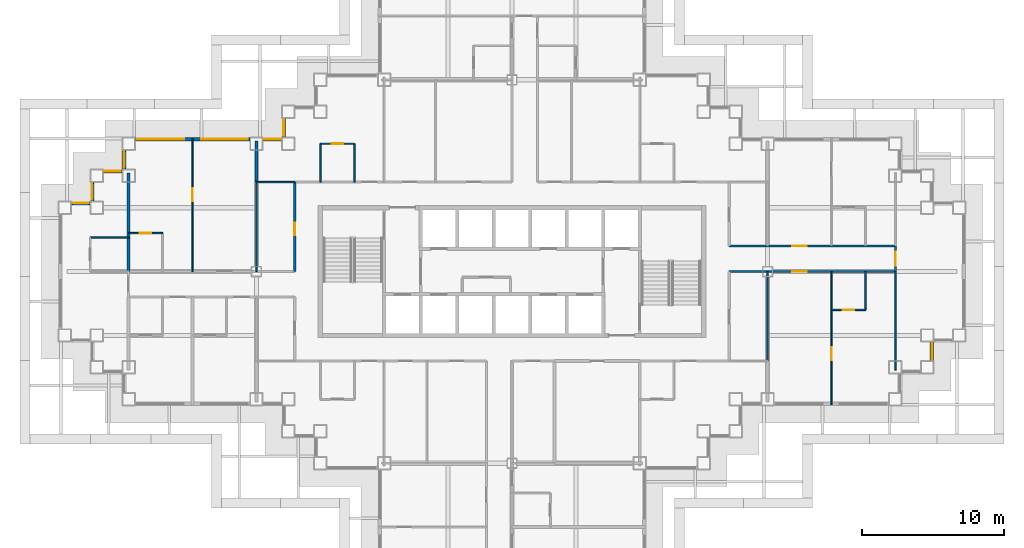
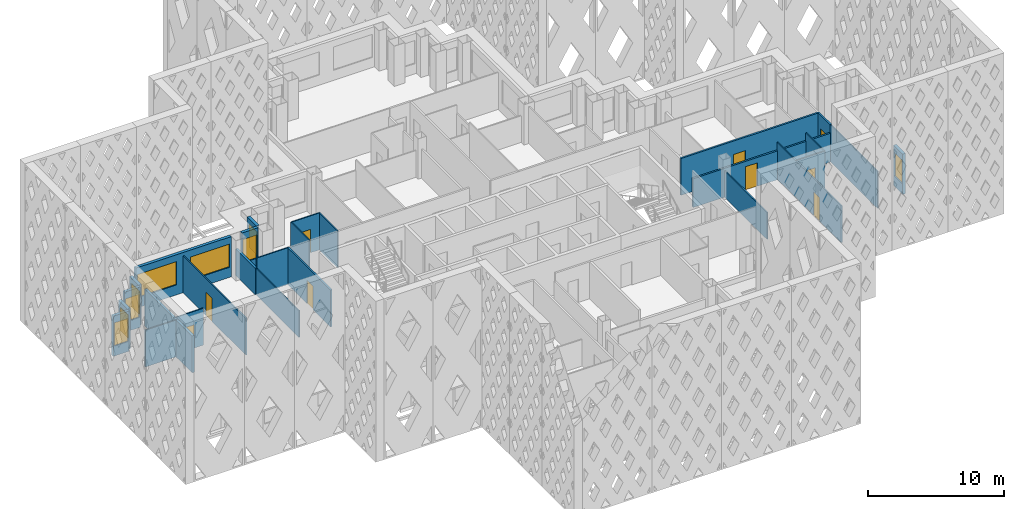
# One storey, part 6 of 21: 27 walls, 9 doors, 9 windows, 18 openings.
"""IFC4 building model written with IfcOpenShell, lengths in metres."""

from ifc_helpers import new_model, si_unit, direction, frame, frame_2d, origin, place, context, subcontext, project, spatial, rectangle, extrude, material, layer, layer_set, type_object, element, fill, save


model = new_model("IFC4")

# Units and contexts
model_context = context("Model", 3, precision=1e-05, world=origin(), true_north=direction((0.0, 1.0)))
body_context = subcontext(model_context, "Body", "Model", "MODEL_VIEW")
ifc_project = project(units=[si_unit("LENGTHUNIT", "METRE"), si_unit("AREAUNIT", "SQUARE_METRE"), si_unit("VOLUMEUNIT", "CUBIC_METRE"), si_unit("PLANEANGLEUNIT", "RADIAN"), si_unit("MASSUNIT", "GRAM", prefix="KILO")], contexts=[model_context])

# Site, building, storey
site_placement = place(None, origin())
site = spatial("IfcSite", under=ifc_project, at=site_placement, CompositionType="ELEMENT")
building_placement = place(site_placement, origin())
building = spatial("IfcBuilding", under=site, at=building_placement, Name="Caravel Reach Hotel and Residences", CompositionType="ELEMENT")
storey_placement = place(building_placement, frame((0.0, 0.0, 100.800048828125)))
storey = spatial("IfcBuildingStorey", under=building, at=storey_placement, Name="L24", CompositionType="ELEMENT", Elevation=100.800048828125)

# Wall, opening, door
ifc_material_1 = material(Name="Gypsum board on steel stud", Category="steel")
ifc_layer_1 = layer(ifc_material_1, 0.10009765625)
ifc_layer_set_1 = layer_set([ifc_layer_1], Name="Bathroom pod wall 100 mm")
wall_type_1 = type_object("IfcWallType", Name="Bathroom pod wall 100 mm", PredefinedType="PARTITIONING", material=ifc_layer_set_1)
wall_1_placement = place(storey_placement, frame((54.0, 24.300048828125, 0.0), z_axis=(0.0, 0.0, 1.0), x_axis=(1.0, 0.0, 0.0)))
wall_1 = element("IfcWall", 1, at=wall_1_placement, inside=storey, type_object=wall_type_1, Name="L24 wall w087", PredefinedType="PARTITIONING", context=body_context, shape_type="SweptSolid", body=[
    extrude(rectangle(XDim=2.39990234375, YDim=0.10009765625, at=frame_2d((1.199951171875, 0.0))), origin(), (0.0, 0.0, 1.0), 3.300048828125),
])
opening_1_placement = place(wall_1_placement, frame((0.800048828125, 0.0, 0.0)))
opening_1 = element("IfcOpeningElement", 2, at=opening_1_placement, cuts=wall_1, Name="Opening D24-024", PredefinedType="OPENING", context=body_context, shape_type="SweptSolid", body=[
    extrude(rectangle(XDim=0.800048828125, YDim=2.10009765625, at=frame_2d((0.39990234375, 1.050048828125))), frame((0.0, 0.06005859375, 0.0), z_axis=(0.0, -1.0, 0.0), x_axis=(1.0, 0.0, 0.0)), (0.0, 0.0, 1.0), 0.1201171875),
])
ifc_material_2 = material(Name="Timber and steel door leaf", Category="steel")
door_type_1 = type_object("IfcDoorType", Name="Bathroom door 800 x 2100", OperationType="SINGLE_SWING_LEFT", PredefinedType="DOOR", material=ifc_material_2)
door_1_placement = place(opening_1_placement, origin())
door_1 = element("IfcDoor", 3, at=door_1_placement, inside=storey, type_object=door_type_1, Name="door D24-024", OperationType="SINGLE_SWING_RIGHT", OverallHeight=2.10009765625, OverallWidth=0.800048828125, PredefinedType="DOOR", context=body_context, shape_type="SweptSolid", body=[
    extrude(rectangle(XDim=0.800048828125, YDim=2.10009765625, at=frame_2d((0.39990234375, 1.050048828125))), frame((0.0, 0.02490234375, 0.0), z_axis=(0.0, -1.0, 0.0), x_axis=(1.0, 0.0, 0.0)), (0.0, 0.0, 1.0), 0.050048828125),
])
fill(opening_1, door_1)

# Wall
wall_2_placement = place(storey_placement, frame((1.800048828125, 29.39990234375, 0.0), z_axis=(0.0, 0.0, 1.0), x_axis=(1.0, 0.0, 0.0)))
element("IfcWall", 4, at=wall_2_placement, inside=storey, type_object=wall_type_1, Name="L24 wall w089", PredefinedType="PARTITIONING", context=body_context, shape_type="SweptSolid", body=[
    extrude(rectangle(XDim=2.699951171875, YDim=0.10009765625, at=frame_2d((1.35009765625, 0.0))), origin(), (0.0, 0.0, 1.0), 3.300048828125),
])

# Wall, opening, door
wall_3_placement = place(storey_placement, frame((4.5, 29.699951171875, 0.0), z_axis=(0.0, 0.0, 1.0), x_axis=(1.0, 0.0, 0.0)))
wall_3 = element("IfcWall", 5, at=wall_3_placement, inside=storey, type_object=wall_type_1, Name="L24 wall w090", PredefinedType="PARTITIONING", context=body_context, shape_type="SweptSolid", body=[
    extrude(rectangle(XDim=2.39990234375, YDim=0.10009765625, at=frame_2d((1.199951171875, 0.0))), origin(), (0.0, 0.0, 1.0), 3.300048828125),
])
opening_2_placement = place(wall_3_placement, frame((0.800048828125, 0.0, 0.0)))
opening_2 = element("IfcOpeningElement", 6, at=opening_2_placement, cuts=wall_3, Name="Opening D24-021", PredefinedType="OPENING", context=body_context, shape_type="SweptSolid", body=[
    extrude(rectangle(XDim=0.800048828125, YDim=2.10009765625, at=frame_2d((0.39990234375, 1.050048828125))), frame((0.0, 0.06005859375, 0.0), z_axis=(0.0, -1.0, 0.0), x_axis=(1.0, 0.0, 0.0)), (0.0, 0.0, 1.0), 0.1201171875),
])
door_2_placement = place(opening_2_placement, origin())
door_2 = element("IfcDoor", 7, at=door_2_placement, inside=storey, type_object=door_type_1, Name="door D24-021", OperationType="SINGLE_SWING_LEFT", OverallHeight=2.10009765625, OverallWidth=0.800048828125, PredefinedType="DOOR", context=body_context, shape_type="SweptSolid", body=[
    extrude(rectangle(XDim=0.800048828125, YDim=2.10009765625, at=frame_2d((0.39990234375, 1.050048828125))), frame((0.0, 0.02490234375, 0.0), z_axis=(0.0, -1.0, 0.0), x_axis=(1.0, 0.0, 0.0)), (0.0, 0.0, 1.0), 0.050048828125),
])
fill(opening_2, door_2)

wall_4_placement = place(storey_placement, frame((18.0, 36.0, 0.0), z_axis=(0.0, 0.0, 1.0), x_axis=(1.0, 0.0, 0.0)))
wall_4 = element("IfcWall", 8, at=wall_4_placement, inside=storey, type_object=wall_type_1, Name="L24 wall w092", PredefinedType="PARTITIONING", context=body_context, shape_type="SweptSolid", body=[
    extrude(rectangle(XDim=2.39990234375, YDim=0.10009765625, at=frame_2d((1.199951171875, 0.0))), origin(), (0.0, 0.0, 1.0), 3.300048828125),
])
opening_3_placement = place(wall_4_placement, frame((0.800048828125, 0.0, 0.0)))
opening_3 = element("IfcOpeningElement", 9, at=opening_3_placement, cuts=wall_4, Name="Opening D24-046", PredefinedType="OPENING", context=body_context, shape_type="SweptSolid", body=[
    extrude(rectangle(XDim=0.800048828125, YDim=2.10009765625, at=frame_2d((0.39990234375, 1.050048828125))), frame((0.0, 0.06005859375, 0.0), z_axis=(0.0, -1.0, 0.0), x_axis=(1.0, 0.0, 0.0)), (0.0, 0.0, 1.0), 0.1201171875),
])
door_3_placement = place(opening_3_placement, origin())
door_3 = element("IfcDoor", 10, at=door_3_placement, inside=storey, type_object=door_type_1, Name="door D24-046", OperationType="SINGLE_SWING_RIGHT", OverallHeight=2.10009765625, OverallWidth=0.800048828125, PredefinedType="DOOR", context=body_context, shape_type="SweptSolid", body=[
    extrude(rectangle(XDim=0.800048828125, YDim=2.10009765625, at=frame_2d((0.39990234375, 1.050048828125))), frame((0.0, 0.02490234375, 0.0), z_axis=(0.0, -1.0, 0.0), x_axis=(1.0, 0.0, 0.0)), (0.0, 0.0, 1.0), 0.050048828125),
])
fill(opening_3, door_3)

# Walls
for number, where, z_axis, x_axis, name in (
    (11, (18.0, 33.300048828125, 0.0), (0.0, 0.0, 1.0), (0.0, 1.0, 0.0), "L24 wall w100"),
    (12, (20.39990234375, 33.300048828125, 0.0), (0.0, 0.0, 1.0), (0.0, 1.0, 0.0), "L24 wall w102"),
    (13, (56.39990234375, 24.300048828125, 0.0), (0.0, 0.0, 1.0), (0.0, 1.0, 0.0), "L24 wall w114"),
):
    element("IfcWall", number, at=place(storey_placement, frame(where, z_axis=z_axis, x_axis=x_axis)), inside=storey, type_object=wall_type_1, Name=name, PredefinedType="PARTITIONING", context=body_context, shape_type="SweptSolid", body=[
        extrude(rectangle(XDim=2.699951171875, YDim=0.10009765625, at=frame_2d((1.35009765625, 0.0))), origin(), (0.0, 0.0, 1.0), 3.300048828125),
    ])

# Wall, opening, door
ifc_material_3 = material(Name="Gypsum board on steel stud, fire-rated", Category="steel")
ifc_layer_2 = layer(ifc_material_3, 0.14990234375)
ifc_layer_set_2 = layer_set([ifc_layer_2], Name="Corridor wall 150 mm EI 60")
wall_type_2 = type_object("IfcWallType", Name="Corridor wall 150 mm EI 60", PredefinedType="PARTITIONING", material=ifc_layer_set_2)
wall_5_placement = place(storey_placement, frame((46.800048828125, 27.0, 0.0), z_axis=(0.0, 0.0, 1.0), x_axis=(1.0, 0.0, 0.0)))
wall_5 = element("IfcWall", 14, at=wall_5_placement, inside=storey, type_object=wall_type_2, Name="L24 wall w009", PredefinedType="PARTITIONING", context=body_context, shape_type="SweptSolid", body=[
    extrude(rectangle(XDim=11.699951171875, YDim=0.14990234375, at=frame_2d((5.85009765625, 0.0))), origin(), (0.0, 0.0, 1.0), 2.579833984375),
])
opening_4_placement = place(wall_5_placement, frame((4.449951171875, 0.0, 0.0)))
opening_4 = element("IfcOpeningElement", 15, at=opening_4_placement, cuts=wall_5, Name="Opening D24-022", PredefinedType="OPENING", context=body_context, shape_type="SweptSolid", body=[
    extrude(rectangle(XDim=1.0, YDim=2.10009765625, at=frame_2d((0.5, 1.050048828125))), frame((0.0, 0.0849609375, 0.0), z_axis=(0.0, -1.0, 0.0), x_axis=(1.0, 0.0, 0.0)), (0.0, 0.0, 1.0), 0.169921875),
])
ifc_material_4 = material(Name="Steel fire door leaf", Category="steel")
door_type_2 = type_object("IfcDoorType", Name="Guest room door 1000 x 2100 EI 30", OperationType="SINGLE_SWING_LEFT", PredefinedType="DOOR", material=ifc_material_4)
door_4_placement = place(opening_4_placement, origin())
door_4 = element("IfcDoor", 16, at=door_4_placement, inside=storey, type_object=door_type_2, Name="door D24-022", OperationType="SINGLE_SWING_RIGHT", OverallHeight=2.10009765625, OverallWidth=1.0, PredefinedType="DOOR", context=body_context, shape_type="SweptSolid", body=[
    extrude(rectangle(XDim=1.0, YDim=2.10009765625, at=frame_2d((0.5, 1.050048828125))), frame((0.0, 0.02490234375, 0.0), z_axis=(0.0, -1.0, 0.0), x_axis=(1.0, 0.0, 0.0)), (0.0, 0.0, 1.0), 0.050048828125),
])
fill(opening_4, door_4)

wall_6_placement = place(storey_placement, frame((46.800048828125, 28.800048828125, 0.0), z_axis=(0.0, 0.0, 1.0), x_axis=(1.0, 0.0, 0.0)))
wall_6 = element("IfcWall", 17, at=wall_6_placement, inside=storey, type_object=wall_type_2, Name="L24 wall w015", PredefinedType="PARTITIONING", context=body_context, shape_type="SweptSolid", body=[
    extrude(rectangle(XDim=11.699951171875, YDim=0.14990234375, at=frame_2d((5.85009765625, 0.0))), origin(), (0.0, 0.0, 1.0), 3.300048828125),
])
opening_5_placement = place(wall_6_placement, frame((4.449951171875, 0.0, 0.0)))
opening_5 = element("IfcOpeningElement", 18, at=opening_5_placement, cuts=wall_6, Name="Opening D24-025", PredefinedType="OPENING", context=body_context, shape_type="SweptSolid", body=[
    extrude(rectangle(XDim=1.0, YDim=2.10009765625, at=frame_2d((0.5, 1.050048828125))), frame((0.0, 0.0849609375, 0.0), z_axis=(0.0, -1.0, 0.0), x_axis=(1.0, 0.0, 0.0)), (0.0, 0.0, 1.0), 0.169921875),
])
door_5_placement = place(opening_5_placement, origin())
door_5 = element("IfcDoor", 19, at=door_5_placement, inside=storey, type_object=door_type_2, Name="door D24-025", OperationType="SINGLE_SWING_LEFT", OverallHeight=2.10009765625, OverallWidth=1.0, PredefinedType="DOOR", context=body_context, shape_type="SweptSolid", body=[
    extrude(rectangle(XDim=1.0, YDim=2.10009765625, at=frame_2d((0.5, 1.050048828125))), frame((0.0, 0.02490234375, 0.0), z_axis=(0.0, -1.0, 0.0), x_axis=(1.0, 0.0, 0.0)), (0.0, 0.0, 1.0), 0.050048828125),
])
fill(opening_5, door_5)

wall_7_placement = place(storey_placement, frame((16.199951171875, 27.0, 0.0), z_axis=(0.0, 0.0, 1.0), x_axis=(0.0, 1.0, 0.0)))
wall_7 = element("IfcWall", 20, at=wall_7_placement, inside=storey, type_object=wall_type_2, Name="L24 wall w026", PredefinedType="PARTITIONING", context=body_context, shape_type="SweptSolid", body=[
    extrude(rectangle(XDim=6.300048828125, YDim=0.14990234375, at=frame_2d((3.14990234375, 0.0))), origin(), (0.0, 0.0, 1.0), 3.300048828125),
])
opening_6_placement = place(wall_7_placement, frame((2.550048828125, 0.0, 0.0)))
opening_6 = element("IfcOpeningElement", 21, at=opening_6_placement, cuts=wall_7, Name="Opening D24-062", PredefinedType="OPENING", context=body_context, shape_type="SweptSolid", body=[
    extrude(rectangle(XDim=0.89990234375, YDim=2.10009765625, at=frame_2d((0.449951171875, 1.050048828125))), frame((0.0, 0.0849609375, 0.0), z_axis=(0.0, -1.0, 0.0), x_axis=(1.0, 0.0, 0.0)), (0.0, 0.0, 1.0), 0.169921875),
])
ifc_material_5 = material(Name="Timber and steel door leaf", Category="steel")
door_type_3 = type_object("IfcDoorType", Name="Door 900 x 2100 timber", OperationType="SINGLE_SWING_LEFT", PredefinedType="DOOR", material=ifc_material_5)
door_6_placement = place(opening_6_placement, origin())
door_6 = element("IfcDoor", 22, at=door_6_placement, inside=storey, type_object=door_type_3, Name="door D24-062", OperationType="SINGLE_SWING_LEFT", OverallHeight=2.10009765625, OverallWidth=0.89990234375, PredefinedType="DOOR", context=body_context, shape_type="SweptSolid", body=[
    extrude(rectangle(XDim=0.89990234375, YDim=2.10009765625, at=frame_2d((0.449951171875, 1.050048828125))), frame((0.0, 0.02490234375, 0.0), z_axis=(0.0, -1.0, 0.0), x_axis=(1.0, 0.0, 0.0)), (0.0, 0.0, 1.0), 0.050048828125),
])
fill(opening_6, door_6)

wall_8_placement = place(storey_placement, frame((58.5, 27.0, 0.0), z_axis=(0.0, 0.0, 1.0), x_axis=(0.0, 1.0, 0.0)))
wall_8 = element("IfcWall", 23, at=wall_8_placement, inside=storey, type_object=wall_type_2, Name="L24 wall w041", PredefinedType="PARTITIONING", context=body_context, shape_type="SweptSolid", body=[
    extrude(rectangle(XDim=1.800048828125, YDim=0.14990234375, at=frame_2d((0.89990234375, 0.0))), origin(), (0.0, 0.0, 1.0), 3.300048828125),
])
opening_7_placement = place(wall_8_placement, frame((0.39990234375, 0.0, 0.0)))
opening_7 = element("IfcOpeningElement", 24, at=opening_7_placement, cuts=wall_8, Name="Opening D24-041", PredefinedType="OPENING", context=body_context, shape_type="SweptSolid", body=[
    extrude(rectangle(XDim=1.0, YDim=2.10009765625, at=frame_2d((0.5, 1.050048828125))), frame((0.0, 0.0849609375, 0.0), z_axis=(0.0, -1.0, 0.0), x_axis=(1.0, 0.0, 0.0)), (0.0, 0.0, 1.0), 0.169921875),
])
door_7_placement = place(opening_7_placement, origin())
door_7 = element("IfcDoor", 25, at=door_7_placement, inside=storey, type_object=door_type_2, Name="door D24-041", OperationType="SINGLE_SWING_LEFT", OverallHeight=2.10009765625, OverallWidth=1.0, PredefinedType="DOOR", context=body_context, shape_type="SweptSolid", body=[
    extrude(rectangle(XDim=1.0, YDim=2.10009765625, at=frame_2d((0.5, 1.050048828125))), frame((0.0, 0.02490234375, 0.0), z_axis=(0.0, -1.0, 0.0), x_axis=(1.0, 0.0, 0.0)), (0.0, 0.0, 1.0), 0.050048828125),
])
fill(opening_7, door_7)

# Wall, opening, window
ifc_material_6 = material(Name="Insulated rainscreen wall, aluminium cladding", Category="aluminium")
ifc_layer_3 = layer(ifc_material_6, 0.25)
ifc_layer_set_3 = layer_set([ifc_layer_3], Name="EW1 Tower rainscreen wall")
wall_type_3 = type_object("IfcWallType", Name="EW1 Tower rainscreen wall", PredefinedType="SOLIDWALL", material=ifc_layer_set_3)
wall_9_placement = place(storey_placement, frame((61.074951171875, 20.699951171875, 0.0), z_axis=(0.0, 0.0, 1.0), x_axis=(0.0, 1.0, 0.0)))
wall_9 = element("IfcWall", 26, at=wall_9_placement, inside=storey, type_object=wall_type_3, Name="External wall L24 E18.1", PredefinedType="SOLIDWALL", context=body_context, shape_type="SweptSolid", body=[
    extrude(rectangle(XDim=1.35009765625, YDim=0.25, at=frame_2d((0.675048828125, 0.0))), origin(), (0.0, 0.0, 1.0), 3.599853515625),
])
opening_8_placement = place(wall_9_placement, frame((0.10009765625, 0.0, 0.89990234375)))
opening_8 = element("IfcOpeningElement", 27, at=opening_8_placement, cuts=wall_9, Name="Opening WN8", PredefinedType="OPENING", context=body_context, shape_type="SweptSolid", body=[
    extrude(rectangle(XDim=1.14990234375, YDim=2.080078125, at=frame_2d((0.574951171875, 1.0400390625))), frame((0.0, 0.135009765625, 0.0), z_axis=(0.0, -1.0, 0.0), x_axis=(1.0, 0.0, 0.0)), (0.0, 0.0, 1.0), 0.27001953125),
])
ifc_material_7 = material(Name="Dark low-e glazing in black aluminium frame", Category="aluminium")
window_type_1 = type_object("IfcWindowType", Name="Hotel suite corner window 1150 x 2080", PartitioningType="SINGLE_PANEL", PredefinedType="WINDOW", material=ifc_material_7)
window_1_placement = place(opening_8_placement, origin())
window_1 = element("IfcWindow", 28, at=window_1_placement, inside=storey, type_object=window_type_1, Name="Window L24 E18.1.1", OverallHeight=2.080078125, OverallWidth=1.14990234375, PartitioningType="SINGLE_PANEL", PredefinedType="WINDOW", context=body_context, shape_type="SweptSolid", body=[
    extrude(rectangle(XDim=1.14990234375, YDim=2.080078125, at=frame_2d((0.574951171875, 1.0400390625))), frame((0.0, 0.030029296875, 0.0), z_axis=(0.0, -1.0, 0.0), x_axis=(1.0, 0.0, 0.0)), (0.0, 0.0, 1.0), 0.06005859375),
])
fill(opening_8, window_1)

wall_10_placement = place(storey_placement, frame((15.425048828125, 37.800048828125, 0.0), z_axis=(0.0, 0.0, 1.0), x_axis=(0.0, -1.0, 0.0)))
wall_10 = element("IfcWall", 29, at=wall_10_placement, inside=storey, type_object=wall_type_3, Name="External wall L24 W44.1", PredefinedType="SOLIDWALL", context=body_context, shape_type="SweptSolid", body=[
    extrude(rectangle(XDim=1.35009765625, YDim=0.25, at=frame_2d((0.675048828125, 0.0))), origin(), (0.0, 0.0, 1.0), 3.599853515625),
])
opening_9_placement = place(wall_10_placement, frame((0.10009765625, 0.0, 0.89990234375)))
opening_9 = element("IfcOpeningElement", 30, at=opening_9_placement, cuts=wall_10, Name="Opening WN8", PredefinedType="OPENING", context=body_context, shape_type="SweptSolid", body=[
    extrude(rectangle(XDim=1.14990234375, YDim=2.080078125, at=frame_2d((0.574951171875, 1.0400390625))), frame((0.0, 0.135009765625, 0.0), z_axis=(0.0, -1.0, 0.0), x_axis=(1.0, 0.0, 0.0)), (0.0, 0.0, 1.0), 0.27001953125),
])
window_2_placement = place(opening_9_placement, origin())
window_2 = element("IfcWindow", 31, at=window_2_placement, inside=storey, type_object=window_type_1, Name="Window L24 W44.1.1", OverallHeight=2.080078125, OverallWidth=1.14990234375, PartitioningType="SINGLE_PANEL", PredefinedType="WINDOW", context=body_context, shape_type="SweptSolid", body=[
    extrude(rectangle(XDim=1.14990234375, YDim=2.080078125, at=frame_2d((0.574951171875, 1.0400390625))), frame((0.0, 0.030029296875, 0.0), z_axis=(0.0, -1.0, 0.0), x_axis=(1.0, 0.0, 0.0)), (0.0, 0.0, 1.0), 0.06005859375),
])
fill(opening_9, window_2)

wall_11_placement = place(storey_placement, frame((15.300048828125, 36.324951171875, 0.0), z_axis=(0.0, 0.0, 1.0), x_axis=(-1.0, 0.0, 0.0)))
wall_11 = element("IfcWall", 32, at=wall_11_placement, inside=storey, type_object=wall_type_3, Name="External wall L24 N45.1", PredefinedType="SOLIDWALL", context=body_context, shape_type="SweptSolid", body=[
    extrude(rectangle(XDim=1.35009765625, YDim=0.25, at=frame_2d((0.675048828125, 0.0))), origin(), (0.0, 0.0, 1.0), 3.599853515625),
])
opening_10_placement = place(wall_11_placement, frame((0.10009765625, 0.0, 0.89990234375)))
opening_10 = element("IfcOpeningElement", 33, at=opening_10_placement, cuts=wall_11, Name="Opening WN8", PredefinedType="OPENING", context=body_context, shape_type="SweptSolid", body=[
    extrude(rectangle(XDim=1.14990234375, YDim=2.080078125, at=frame_2d((0.574951171875, 1.0400390625))), frame((0.0, 0.135009765625, 0.0), z_axis=(0.0, -1.0, 0.0), x_axis=(1.0, 0.0, 0.0)), (0.0, 0.0, 1.0), 0.27001953125),
])
window_3_placement = place(opening_10_placement, origin())
window_3 = element("IfcWindow", 34, at=window_3_placement, inside=storey, type_object=window_type_1, Name="Window L24 N45.1.1", OverallHeight=2.080078125, OverallWidth=1.14990234375, PartitioningType="SINGLE_PANEL", PredefinedType="WINDOW", context=body_context, shape_type="SweptSolid", body=[
    extrude(rectangle(XDim=1.14990234375, YDim=2.080078125, at=frame_2d((0.574951171875, 1.0400390625))), frame((0.0, 0.030029296875, 0.0), z_axis=(0.0, -1.0, 0.0), x_axis=(1.0, 0.0, 0.0)), (0.0, 0.0, 1.0), 0.06005859375),
])
fill(opening_10, window_3)

# Wall, openings, windows
wall_12_placement = place(storey_placement, frame((13.050048828125, 36.324951171875, 0.0), z_axis=(0.0, 0.0, 1.0), x_axis=(-1.0, 0.0, 0.0)))
wall_12 = element("IfcWall", 35, at=wall_12_placement, inside=storey, type_object=wall_type_3, Name="External wall L24 N45.2", PredefinedType="SOLIDWALL", context=body_context, shape_type="SweptSolid", body=[
    extrude(rectangle(XDim=8.10009765625, YDim=0.25, at=frame_2d((4.050048828125, 0.0))), origin(), (0.0, 0.0, 1.0), 3.599853515625),
])
opening_11_placement = place(wall_12_placement, frame((0.14990234375, 0.0, 0.89990234375)))
opening_11 = element("IfcOpeningElement", 36, at=opening_11_placement, cuts=wall_12, Name="Opening WN4", PredefinedType="OPENING", context=body_context, shape_type="SweptSolid", body=[
    extrude(rectangle(XDim=3.300048828125, YDim=2.080078125, at=frame_2d((1.64990234375, 1.0400390625))), frame((0.0, 0.135009765625, 0.0), z_axis=(0.0, -1.0, 0.0), x_axis=(1.0, 0.0, 0.0)), (0.0, 0.0, 1.0), 0.27001953125),
])
opening_12_placement = place(wall_12_placement, frame((4.64990234375, 0.0, 0.89990234375)))
opening_12 = element("IfcOpeningElement", 37, at=opening_12_placement, cuts=wall_12, Name="Opening WN4", PredefinedType="OPENING", context=body_context, shape_type="SweptSolid", body=[
    extrude(rectangle(XDim=3.300048828125, YDim=2.080078125, at=frame_2d((1.64990234375, 1.0400390625))), frame((0.0, 0.135009765625, 0.0), z_axis=(0.0, -1.0, 0.0), x_axis=(1.0, 0.0, 0.0)), (0.0, 0.0, 1.0), 0.27001953125),
])
ifc_material_8 = material(Name="Dark low-e glazing in black aluminium frame", Category="aluminium")
window_type_2 = type_object("IfcWindowType", Name="Hotel guest room window 3300 x 2080", PartitioningType="SINGLE_PANEL", PredefinedType="WINDOW", material=ifc_material_8)
window_4_placement = place(opening_11_placement, origin())
window_4 = element("IfcWindow", 38, at=window_4_placement, inside=storey, type_object=window_type_2, Name="Window L24 N45.2.1", OverallHeight=2.080078125, OverallWidth=3.300048828125, PartitioningType="SINGLE_PANEL", PredefinedType="WINDOW", context=body_context, shape_type="SweptSolid", body=[
    extrude(rectangle(XDim=3.300048828125, YDim=2.080078125, at=frame_2d((1.64990234375, 1.0400390625))), frame((0.0, 0.030029296875, 0.0), z_axis=(0.0, -1.0, 0.0), x_axis=(1.0, 0.0, 0.0)), (0.0, 0.0, 1.0), 0.06005859375),
])
fill(opening_11, window_4)
window_5_placement = place(opening_12_placement, origin())
window_5 = element("IfcWindow", 39, at=window_5_placement, inside=storey, type_object=window_type_2, Name="Window L24 N45.2.2", OverallHeight=2.080078125, OverallWidth=3.300048828125, PartitioningType="SINGLE_PANEL", PredefinedType="WINDOW", context=body_context, shape_type="SweptSolid", body=[
    extrude(rectangle(XDim=3.300048828125, YDim=2.080078125, at=frame_2d((1.64990234375, 1.0400390625))), frame((0.0, 0.030029296875, 0.0), z_axis=(0.0, -1.0, 0.0), x_axis=(1.0, 0.0, 0.0)), (0.0, 0.0, 1.0), 0.06005859375),
])
fill(opening_12, window_5)

# Wall, opening, window
wall_13_placement = place(storey_placement, frame((4.175048828125, 35.550048828125, 0.0), z_axis=(0.0, 0.0, 1.0), x_axis=(0.0, -1.0, 0.0)))
wall_13 = element("IfcWall", 40, at=wall_13_placement, inside=storey, type_object=wall_type_3, Name="External wall L24 W46.1", PredefinedType="SOLIDWALL", context=body_context, shape_type="SweptSolid", body=[
    extrude(rectangle(XDim=1.35009765625, YDim=0.25, at=frame_2d((0.675048828125, 0.0))), origin(), (0.0, 0.0, 1.0), 3.599853515625),
])
opening_13_placement = place(wall_13_placement, frame((0.10009765625, 0.0, 0.89990234375)))
opening_13 = element("IfcOpeningElement", 41, at=opening_13_placement, cuts=wall_13, Name="Opening WN8", PredefinedType="OPENING", context=body_context, shape_type="SweptSolid", body=[
    extrude(rectangle(XDim=1.14990234375, YDim=2.080078125, at=frame_2d((0.574951171875, 1.0400390625))), frame((0.0, 0.135009765625, 0.0), z_axis=(0.0, -1.0, 0.0), x_axis=(1.0, 0.0, 0.0)), (0.0, 0.0, 1.0), 0.27001953125),
])
window_6_placement = place(opening_13_placement, origin())
window_6 = element("IfcWindow", 42, at=window_6_placement, inside=storey, type_object=window_type_1, Name="Window L24 W46.1.1", OverallHeight=2.080078125, OverallWidth=1.14990234375, PartitioningType="SINGLE_PANEL", PredefinedType="WINDOW", context=body_context, shape_type="SweptSolid", body=[
    extrude(rectangle(XDim=1.14990234375, YDim=2.080078125, at=frame_2d((0.574951171875, 1.0400390625))), frame((0.0, 0.030029296875, 0.0), z_axis=(0.0, -1.0, 0.0), x_axis=(1.0, 0.0, 0.0)), (0.0, 0.0, 1.0), 0.06005859375),
])
fill(opening_13, window_6)

wall_14_placement = place(storey_placement, frame((4.050048828125, 34.074951171875, 0.0), z_axis=(0.0, 0.0, 1.0), x_axis=(-1.0, 0.0, 0.0)))
wall_14 = element("IfcWall", 43, at=wall_14_placement, inside=storey, type_object=wall_type_3, Name="External wall L24 N47.1", PredefinedType="SOLIDWALL", context=body_context, shape_type="SweptSolid", body=[
    extrude(rectangle(XDim=1.35009765625, YDim=0.25, at=frame_2d((0.675048828125, 0.0))), origin(), (0.0, 0.0, 1.0), 3.599853515625),
])
opening_14_placement = place(wall_14_placement, frame((0.10009765625, 0.0, 0.89990234375)))
opening_14 = element("IfcOpeningElement", 44, at=opening_14_placement, cuts=wall_14, Name="Opening WN8", PredefinedType="OPENING", context=body_context, shape_type="SweptSolid", body=[
    extrude(rectangle(XDim=1.14990234375, YDim=2.080078125, at=frame_2d((0.574951171875, 1.0400390625))), frame((0.0, 0.135009765625, 0.0), z_axis=(0.0, -1.0, 0.0), x_axis=(1.0, 0.0, 0.0)), (0.0, 0.0, 1.0), 0.27001953125),
])
window_7_placement = place(opening_14_placement, origin())
window_7 = element("IfcWindow", 45, at=window_7_placement, inside=storey, type_object=window_type_1, Name="Window L24 N47.1.1", OverallHeight=2.080078125, OverallWidth=1.14990234375, PartitioningType="SINGLE_PANEL", PredefinedType="WINDOW", context=body_context, shape_type="SweptSolid", body=[
    extrude(rectangle(XDim=1.14990234375, YDim=2.080078125, at=frame_2d((0.574951171875, 1.0400390625))), frame((0.0, 0.030029296875, 0.0), z_axis=(0.0, -1.0, 0.0), x_axis=(1.0, 0.0, 0.0)), (0.0, 0.0, 1.0), 0.06005859375),
])
fill(opening_14, window_7)

wall_15_placement = place(storey_placement, frame((1.925048828125, 33.300048828125, 0.0), z_axis=(0.0, 0.0, 1.0), x_axis=(0.0, -1.0, 0.0)))
wall_15 = element("IfcWall", 46, at=wall_15_placement, inside=storey, type_object=wall_type_3, Name="External wall L24 W48.1", PredefinedType="SOLIDWALL", context=body_context, shape_type="SweptSolid", body=[
    extrude(rectangle(XDim=1.35009765625, YDim=0.25, at=frame_2d((0.675048828125, 0.0))), origin(), (0.0, 0.0, 1.0), 3.599853515625),
])
opening_15_placement = place(wall_15_placement, frame((0.10009765625, 0.0, 0.89990234375)))
opening_15 = element("IfcOpeningElement", 47, at=opening_15_placement, cuts=wall_15, Name="Opening WN8", PredefinedType="OPENING", context=body_context, shape_type="SweptSolid", body=[
    extrude(rectangle(XDim=1.14990234375, YDim=2.080078125, at=frame_2d((0.574951171875, 1.0400390625))), frame((0.0, 0.135009765625, 0.0), z_axis=(0.0, -1.0, 0.0), x_axis=(1.0, 0.0, 0.0)), (0.0, 0.0, 1.0), 0.27001953125),
])
window_8_placement = place(opening_15_placement, origin())
window_8 = element("IfcWindow", 48, at=window_8_placement, inside=storey, type_object=window_type_1, Name="Window L24 W48.1.1", OverallHeight=2.080078125, OverallWidth=1.14990234375, PartitioningType="SINGLE_PANEL", PredefinedType="WINDOW", context=body_context, shape_type="SweptSolid", body=[
    extrude(rectangle(XDim=1.14990234375, YDim=2.080078125, at=frame_2d((0.574951171875, 1.0400390625))), frame((0.0, 0.030029296875, 0.0), z_axis=(0.0, -1.0, 0.0), x_axis=(1.0, 0.0, 0.0)), (0.0, 0.0, 1.0), 0.06005859375),
])
fill(opening_15, window_8)

wall_16_placement = place(storey_placement, frame((1.800048828125, 31.824951171875, 0.0), z_axis=(0.0, 0.0, 1.0), x_axis=(-1.0, 0.0, 0.0)))
wall_16 = element("IfcWall", 49, at=wall_16_placement, inside=storey, type_object=wall_type_3, Name="External wall L24 N49.1", PredefinedType="SOLIDWALL", context=body_context, shape_type="SweptSolid", body=[
    extrude(rectangle(XDim=1.35009765625, YDim=0.25, at=frame_2d((0.675048828125, 0.0))), origin(), (0.0, 0.0, 1.0), 3.599853515625),
])
opening_16_placement = place(wall_16_placement, frame((0.10009765625, 0.0, 0.89990234375)))
opening_16 = element("IfcOpeningElement", 50, at=opening_16_placement, cuts=wall_16, Name="Opening WN8", PredefinedType="OPENING", context=body_context, shape_type="SweptSolid", body=[
    extrude(rectangle(XDim=1.14990234375, YDim=2.080078125, at=frame_2d((0.574951171875, 1.0400390625))), frame((0.0, 0.135009765625, 0.0), z_axis=(0.0, -1.0, 0.0), x_axis=(1.0, 0.0, 0.0)), (0.0, 0.0, 1.0), 0.27001953125),
])
window_9_placement = place(opening_16_placement, origin())
window_9 = element("IfcWindow", 51, at=window_9_placement, inside=storey, type_object=window_type_1, Name="Window L24 N49.1.1", OverallHeight=2.080078125, OverallWidth=1.14990234375, PartitioningType="SINGLE_PANEL", PredefinedType="WINDOW", context=body_context, shape_type="SweptSolid", body=[
    extrude(rectangle(XDim=1.14990234375, YDim=2.080078125, at=frame_2d((0.574951171875, 1.0400390625))), frame((0.0, 0.030029296875, 0.0), z_axis=(0.0, -1.0, 0.0), x_axis=(1.0, 0.0, 0.0)), (0.0, 0.0, 1.0), 0.06005859375),
])
fill(opening_16, window_9)

# Walls
ifc_material_9 = material(Name="Gypsum board on steel stud", Category="steel")
ifc_layer_4 = layer(ifc_material_9, 0.10009765625)
ifc_layer_set_4 = layer_set([ifc_layer_4], Name="Partition 100 mm")
wall_type_4 = type_object("IfcWallType", Name="Partition 100 mm", PredefinedType="PARTITIONING", material=ifc_layer_set_4)
wall_17_placement = place(storey_placement, frame((13.5, 33.300048828125, 0.0), z_axis=(0.0, 0.0, 1.0), x_axis=(1.0, 0.0, 0.0)))
element("IfcWall", 52, at=wall_17_placement, inside=storey, type_object=wall_type_4, Name="L24 wall w047", PredefinedType="PARTITIONING", context=body_context, shape_type="SweptSolid", body=[
    extrude(rectangle(XDim=2.699951171875, YDim=0.10009765625, at=frame_2d((1.35009765625, 0.0))), origin(), (0.0, 0.0, 1.0), 3.300048828125),
])
for number, where, z_axis, x_axis, name in (
    (53, (13.5, 27.0, 0.0), (0.0, 0.0, 1.0), (0.0, 1.0, 0.0), "L24 wall w057"),
    (54, (49.5, 20.699951171875, 0.0), (0.0, 0.0, 1.0), (0.0, 1.0, 0.0), "L24 wall w065"),
):
    element("IfcWall", number, at=place(storey_placement, frame(where, z_axis=z_axis, x_axis=x_axis)), inside=storey, type_object=wall_type_4, Name=name, PredefinedType="PARTITIONING", context=body_context, shape_type="SweptSolid", body=[
        extrude(rectangle(XDim=6.300048828125, YDim=0.10009765625, at=frame_2d((3.14990234375, 0.0))), origin(), (0.0, 0.0, 1.0), 2.3798828125),
    ])

# Wall, opening, door
wall_18_placement = place(storey_placement, frame((54.0, 17.610107421875, 0.0), z_axis=(0.0, 0.0, 1.0), x_axis=(0.0, 1.0, 0.0)))
wall_18 = element("IfcWall", 55, at=wall_18_placement, inside=storey, type_object=wall_type_4, Name="L24 wall w067", PredefinedType="PARTITIONING", context=body_context, shape_type="SweptSolid", body=[
    extrude(rectangle(XDim=9.389892578125, YDim=0.10009765625, at=frame_2d((4.69482421875, 0.0))), origin(), (0.0, 0.0, 1.0), 3.300048828125),
])
opening_17_placement = place(wall_18_placement, frame((3.14990234375, 0.0, 0.0)))
opening_17 = element("IfcOpeningElement", 56, at=opening_17_placement, cuts=wall_18, Name="Opening D24-023", PredefinedType="OPENING", context=body_context, shape_type="SweptSolid", body=[
    extrude(rectangle(XDim=0.89990234375, YDim=2.10009765625, at=frame_2d((0.449951171875, 1.050048828125))), frame((0.0, 0.06005859375, 0.0), z_axis=(0.0, -1.0, 0.0), x_axis=(1.0, 0.0, 0.0)), (0.0, 0.0, 1.0), 0.1201171875),
])
door_8_placement = place(opening_17_placement, origin())
door_8 = element("IfcDoor", 57, at=door_8_placement, inside=storey, type_object=door_type_3, Name="door D24-023", OperationType="SINGLE_SWING_LEFT", OverallHeight=2.10009765625, OverallWidth=0.89990234375, PredefinedType="DOOR", context=body_context, shape_type="SweptSolid", body=[
    extrude(rectangle(XDim=0.89990234375, YDim=2.10009765625, at=frame_2d((0.449951171875, 1.050048828125))), frame((0.0, 0.02490234375, 0.0), z_axis=(0.0, -1.0, 0.0), x_axis=(1.0, 0.0, 0.0)), (0.0, 0.0, 1.0), 0.050048828125),
])
fill(opening_17, door_8)

# Wall
wall_19_placement = place(storey_placement, frame((58.5, 20.06005859375, 0.0), z_axis=(0.0, 0.0, 1.0), x_axis=(0.0, 1.0, 0.0)))
element("IfcWall", 58, at=wall_19_placement, inside=storey, type_object=wall_type_4, Name="L24 wall w069", PredefinedType="PARTITIONING", context=body_context, shape_type="SweptSolid", body=[
    extrude(rectangle(XDim=6.93994140625, YDim=0.10009765625, at=frame_2d((3.469970703125, 0.0))), origin(), (0.0, 0.0, 1.0), 3.300048828125),
])

# Wall, opening, door
wall_20_placement = place(storey_placement, frame((9.0, 27.0, 0.0), z_axis=(0.0, 0.0, 1.0), x_axis=(0.0, 1.0, 0.0)))
wall_20 = element("IfcWall", 59, at=wall_20_placement, inside=storey, type_object=wall_type_4, Name="L24 wall w070", PredefinedType="PARTITIONING", context=body_context, shape_type="SweptSolid", body=[
    extrude(rectangle(XDim=9.389892578125, YDim=0.10009765625, at=frame_2d((4.69482421875, 0.0))), origin(), (0.0, 0.0, 1.0), 3.300048828125),
])
opening_18_placement = place(wall_20_placement, frame((4.949951171875, 0.0, 0.0)))
opening_18 = element("IfcOpeningElement", 60, at=opening_18_placement, cuts=wall_20, Name="Opening D24-020", PredefinedType="OPENING", context=body_context, shape_type="SweptSolid", body=[
    extrude(rectangle(XDim=0.89990234375, YDim=2.10009765625, at=frame_2d((0.449951171875, 1.050048828125))), frame((0.0, 0.06005859375, 0.0), z_axis=(0.0, -1.0, 0.0), x_axis=(1.0, 0.0, 0.0)), (0.0, 0.0, 1.0), 0.1201171875),
])
door_9_placement = place(opening_18_placement, origin())
door_9 = element("IfcDoor", 61, at=door_9_placement, inside=storey, type_object=door_type_3, Name="door D24-020", OperationType="SINGLE_SWING_RIGHT", OverallHeight=2.10009765625, OverallWidth=0.89990234375, PredefinedType="DOOR", context=body_context, shape_type="SweptSolid", body=[
    extrude(rectangle(XDim=0.89990234375, YDim=2.10009765625, at=frame_2d((0.449951171875, 1.050048828125))), frame((0.0, 0.02490234375, 0.0), z_axis=(0.0, -1.0, 0.0), x_axis=(1.0, 0.0, 0.0)), (0.0, 0.0, 1.0), 0.050048828125),
])
fill(opening_18, door_9)

# Walls
ifc_material_10 = material(Name="Autoclaved aerated block wall")
ifc_layer_5 = layer(ifc_material_10, 0.199951171875)
ifc_layer_set_5 = layer_set([ifc_layer_5], Name="Party wall 200 mm EI 60")
wall_type_5 = type_object("IfcWallType", Name="Party wall 200 mm EI 60", PredefinedType="PARTITIONING", material=ifc_layer_set_5)
wall_21_placement = place(storey_placement, frame((13.5, 33.300048828125, 0.0), z_axis=(0.0, 0.0, 1.0), x_axis=(0.0, 1.0, 0.0)))
element("IfcWall", 62, at=wall_21_placement, inside=storey, type_object=wall_type_5, Name="L24 wall w075", PredefinedType="PARTITIONING", context=body_context, shape_type="SweptSolid", body=[
    extrude(rectangle(XDim=2.889892578125, YDim=0.199951171875, at=frame_2d((1.44482421875, 0.0))), origin(), (0.0, 0.0, 1.0), 2.3798828125),
])
wall_22_placement = place(storey_placement, frame((4.5, 27.0, 0.0), z_axis=(0.0, 0.0, 1.0), x_axis=(0.0, 1.0, 0.0)))
element("IfcWall", 63, at=wall_22_placement, inside=storey, type_object=wall_type_5, Name="L24 wall w077", PredefinedType="PARTITIONING", context=body_context, shape_type="SweptSolid", body=[
    extrude(rectangle(XDim=6.93994140625, YDim=0.199951171875, at=frame_2d((3.469970703125, 0.0))), origin(), (0.0, 0.0, 1.0), 3.300048828125),
])

save(model, "model.ifc")
